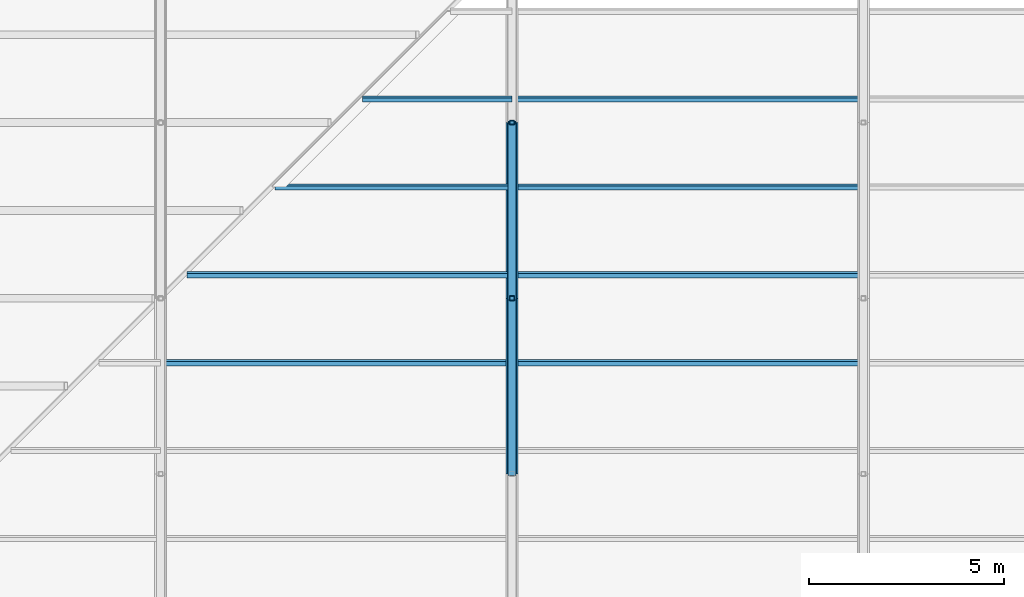
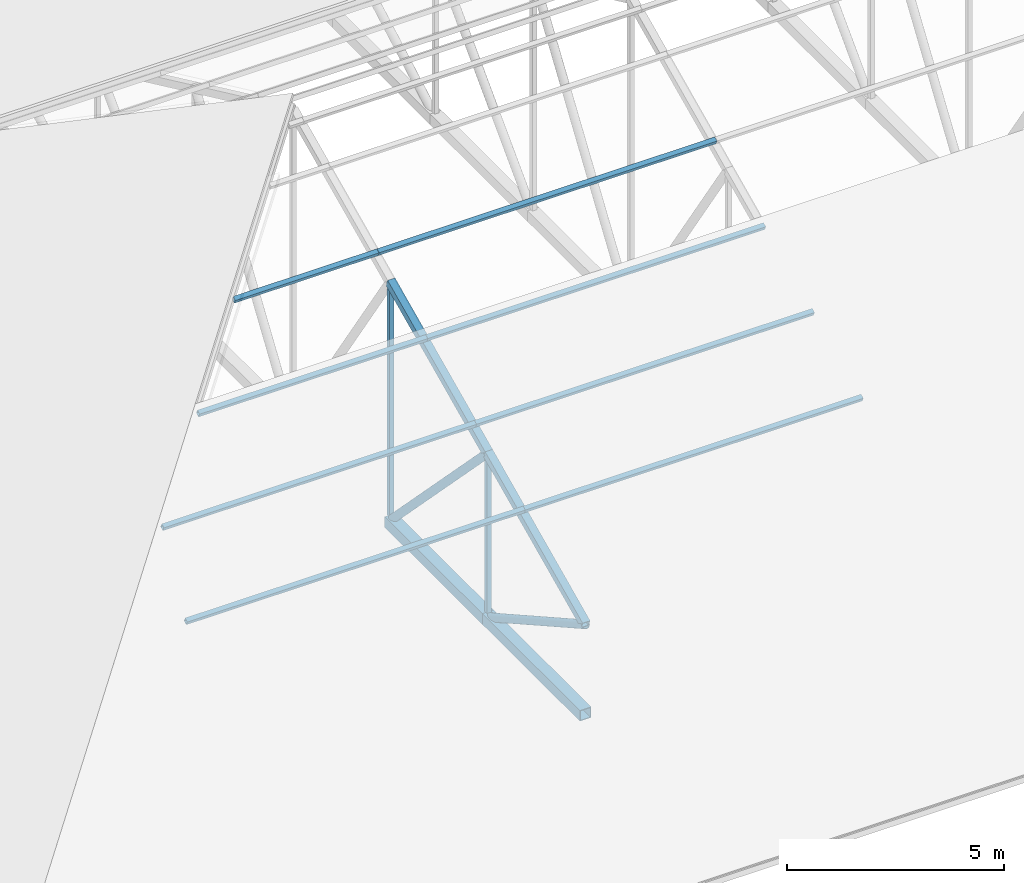
# One storey, part 62 of 154: 16 members.
"""IFC4 building model written with IfcOpenShell, lengths in metres."""

from ifc_helpers import new_model, si_unit, direction, frame, origin, origin_2d, place, context, subcontext, project, spatial, hollow_rectangle, hollow_circle, extrude, material, material_profile, profile_set, type_object, element, save


model = new_model("IFC4")

# Units and contexts
model_context = context("Model", 3, precision=1e-05, world=origin(), true_north=direction((0.0, 1.0)))
body_context = subcontext(model_context, "Body", "Model", "MODEL_VIEW")
ifc_project = project(units=[si_unit("LENGTHUNIT", "METRE"), si_unit("AREAUNIT", "SQUARE_METRE"), si_unit("VOLUMEUNIT", "CUBIC_METRE"), si_unit("PLANEANGLEUNIT", "RADIAN"), si_unit("MASSUNIT", "GRAM", prefix="KILO")], contexts=[model_context])

# Site, building, storey
site_placement = place(None, origin())
site = spatial("IfcSite", under=ifc_project, at=site_placement, CompositionType="ELEMENT")
building_placement = place(site_placement, origin())
building = spatial("IfcBuilding", under=site, at=building_placement, Name="Golden Quay Civic Hall", CompositionType="ELEMENT")
storey_placement = place(building_placement, frame((0.0, 0.0, 14.39990234375)))
storey = spatial("IfcBuildingStorey", under=building, at=storey_placement, Name="L03", CompositionType="ELEMENT", Elevation=14.39990234375)

# Members
ifc_material_1 = material(Name="Steel S355", Category="steel")
ifc_material_profile_1 = material_profile(ifc_material_1, hollow_rectangle(XDim=0.1201171875, YDim=0.1201171875, WallThickness=0.008056640625, at=origin_2d()), Name="SHS 120x120x8")
ifc_profile_set_1 = profile_set([ifc_material_profile_1], Name="Steel S355")
member_type_1 = type_object("IfcMemberType", Name="Steel roof purlin SHS 120x120x8", PredefinedType="PURLIN", material=ifc_profile_set_1)
for number, where, z_axis, x_axis, name in (
    (1, (126.0, 70.35009765625, 3.931884765625), (1.0, 0.0, 0.0), (0.0, 0.906307787037, 0.422618261741), "Purlin south 5-2 L03"),
    (2, (135.0, 70.35009765625, 3.931884765625), (1.0, 0.0, 0.0), (0.0, 0.906307787037, 0.422618261741), "Purlin south 5-3 L03"),
):
    element("IfcMember", number, at=place(storey_placement, frame(where, z_axis=z_axis, x_axis=x_axis)), inside=storey, type_object=member_type_1, Name=name, PredefinedType="PURLIN", context=body_context, shape_type="SweptSolid", body=[
        extrude(hollow_rectangle(XDim=0.1201171875, YDim=0.1201171875, WallThickness=0.008056640625, at=origin_2d()), origin(), (0.0, 0.0, 1.0), 9.0),
    ])
member_1_placement = place(storey_placement, frame((126.675048828125, 72.60009765625, 4.981201171875), z_axis=(1.0, 0.0, 0.0), x_axis=(0.0, 0.906307787037, 0.422618261741)))
element("IfcMember", 3, at=member_1_placement, inside=storey, type_object=member_type_1, Name="Purlin south 6-1 L03", PredefinedType="PURLIN", context=body_context, shape_type="SweptSolid", body=[
    extrude(hollow_rectangle(XDim=0.1201171875, YDim=0.1201171875, WallThickness=0.008056640625, at=origin_2d()), origin(), (0.0, 0.0, 1.0), 8.324951171875),
])
member_2_placement = place(storey_placement, frame((135.0, 72.60009765625, 4.981201171875), z_axis=(1.0, 0.0, 0.0), x_axis=(0.0, 0.906307787037, 0.422618261741)))
element("IfcMember", 4, at=member_2_placement, inside=storey, type_object=member_type_1, Name="Purlin south 6-2 L03", PredefinedType="PURLIN", context=body_context, shape_type="SweptSolid", body=[
    extrude(hollow_rectangle(XDim=0.1201171875, YDim=0.1201171875, WallThickness=0.008056640625, at=origin_2d()), origin(), (0.0, 0.0, 1.0), 9.0),
])
member_3_placement = place(storey_placement, frame((128.925048828125, 74.85009765625, 6.0302734375), z_axis=(1.0, 0.0, 0.0), x_axis=(0.0, 0.906307787037, 0.422618261741)))
element("IfcMember", 5, at=member_3_placement, inside=storey, type_object=member_type_1, Name="Purlin south 7-1 L03", PredefinedType="PURLIN", context=body_context, shape_type="SweptSolid", body=[
    extrude(hollow_rectangle(XDim=0.1201171875, YDim=0.1201171875, WallThickness=0.008056640625, at=origin_2d()), origin(), (0.0, 0.0, 1.0), 6.074951171875),
])
member_4_placement = place(storey_placement, frame((135.0, 74.85009765625, 6.0302734375), z_axis=(1.0, 0.0, 0.0), x_axis=(0.0, 0.906307787037, 0.422618261741)))
element("IfcMember", 6, at=member_4_placement, inside=storey, type_object=member_type_1, Name="Purlin south 7-2 L03", PredefinedType="PURLIN", context=body_context, shape_type="SweptSolid", body=[
    extrude(hollow_rectangle(XDim=0.1201171875, YDim=0.1201171875, WallThickness=0.008056640625, at=origin_2d()), origin(), (0.0, 0.0, 1.0), 9.0),
])
member_5_placement = place(storey_placement, frame((131.175048828125, 77.10009765625, 7.07958984375), z_axis=(1.0, 0.0, 0.0), x_axis=(0.0, 0.906307787037, 0.422618261741)))
element("IfcMember", 7, at=member_5_placement, inside=storey, type_object=member_type_1, Name="Purlin south 8-1 L03", PredefinedType="PURLIN", context=body_context, shape_type="SweptSolid", body=[
    extrude(hollow_rectangle(XDim=0.1201171875, YDim=0.1201171875, WallThickness=0.008056640625, at=origin_2d()), origin(), (0.0, 0.0, 1.0), 3.824951171875),
])
member_6_placement = place(storey_placement, frame((135.0, 77.10009765625, 7.07958984375), z_axis=(1.0, 0.0, 0.0), x_axis=(0.0, 0.906307787037, 0.422618261741)))
element("IfcMember", 8, at=member_6_placement, inside=storey, type_object=member_type_1, Name="Purlin south 8-2 L03", PredefinedType="PURLIN", context=body_context, shape_type="SweptSolid", body=[
    extrude(hollow_rectangle(XDim=0.1201171875, YDim=0.1201171875, WallThickness=0.008056640625, at=origin_2d()), origin(), (0.0, 0.0, 1.0), 9.0),
])
ifc_material_2 = material(Name="Steel S355", Category="steel")
ifc_material_profile_2 = material_profile(ifc_material_2, hollow_rectangle(XDim=0.300048828125, YDim=0.300048828125, WallThickness=0.01611328125, at=origin_2d()), Name="SHS 300x300x16")
ifc_profile_set_2 = profile_set([ifc_material_profile_2], Name="Steel S355")
member_type_2 = type_object("IfcMemberType", Name="Steel truss bottom chord SHS 300x300x16", PredefinedType="USERDEFINED", material=ifc_profile_set_2)
for number, where, z_axis, x_axis, name in (
    (9, (135.0, 67.5, -0.099853515625), (0.0, 1.0, 0.0), (-1.0, 0.0, 0.0), "Truss 135 bottom chord 2 L03"),
    (10, (135.0, 72.0, -0.099853515625), (0.0, 1.0, 0.0), (-1.0, 0.0, 0.0), "Truss 135 bottom chord 3 L03"),
):
    element("IfcMember", number, at=place(storey_placement, frame(where, z_axis=z_axis, x_axis=x_axis)), inside=storey, type_object=member_type_2, Name=name, ObjectType="TRUSS BOTTOM CHORD", PredefinedType="USERDEFINED", context=body_context, shape_type="SweptSolid", body=[
        extrude(hollow_rectangle(XDim=0.300048828125, YDim=0.300048828125, WallThickness=0.01611328125, at=origin_2d()), origin(), (0.0, 0.0, 1.0), 4.5),
    ])
ifc_material_3 = material(Name="Steel S355", Category="steel")
ifc_material_profile_3 = material_profile(ifc_material_3, hollow_circle(Radius=0.109619140625, WallThickness=0.010009765625, at=origin_2d()), Name="CHS 219.1x10")
ifc_profile_set_3 = profile_set([ifc_material_profile_3], Name="Steel S355")
member_type_3 = type_object("IfcMemberType", Name="Steel truss diagonal CHS 219.1x10", PredefinedType="BRACE", material=ifc_profile_set_3)
member_7_placement = place(storey_placement, frame((135.0, 67.5, 2.426513671875), z_axis=(0.0, 0.871979533951, -0.489542329499), x_axis=(-1.0, 0.0, 0.0)))
element("IfcMember", 11, at=member_7_placement, inside=storey, type_object=member_type_3, Name="Truss 135 diagonal 2 L03", PredefinedType="BRACE", context=body_context, shape_type="SweptSolid", body=[
    extrude(hollow_circle(Radius=0.109619140625, WallThickness=0.010009765625, at=origin_2d()), origin(), (0.0, 0.0, 1.0), 5.16064453125),
])
member_8_placement = place(storey_placement, frame((135.0, 72.0, 4.52490234375), z_axis=(0.0, 0.697373869939, -0.716707531372), x_axis=(-1.0, 0.0, 0.0)))
element("IfcMember", 12, at=member_8_placement, inside=storey, type_object=member_type_3, Name="Truss 135 diagonal 3 L03", PredefinedType="BRACE", context=body_context, shape_type="SweptSolid", body=[
    extrude(hollow_circle(Radius=0.109619140625, WallThickness=0.010009765625, at=origin_2d()), origin(), (0.0, 0.0, 1.0), 6.452880859375),
])
ifc_material_4 = material(Name="Steel S355", Category="steel")
ifc_material_profile_4 = material_profile(ifc_material_4, hollow_rectangle(XDim=0.1201171875, YDim=0.1201171875, WallThickness=0.008056640625, at=origin_2d()), Name="SHS 120x120x8")
ifc_profile_set_4 = profile_set([ifc_material_profile_4], Name="Steel S355")
member_type_4 = type_object("IfcMemberType", Name="Steel truss post SHS 120x120x8", PredefinedType="USERDEFINED", material=ifc_profile_set_4)
member_9_placement = place(storey_placement, frame((135.0, 72.0, 0.050048828125), z_axis=(0.0, 0.0, 1.0), x_axis=(1.0, 0.0, 0.0)))
element("IfcMember", 13, at=member_9_placement, inside=storey, type_object=member_type_4, Name="Truss 135 post 3 L03", ObjectType="TRUSS POST", PredefinedType="USERDEFINED", context=body_context, shape_type="SweptSolid", body=[
    extrude(hollow_rectangle(XDim=0.1201171875, YDim=0.1201171875, WallThickness=0.008056640625, at=origin_2d()), origin(), (0.0, 0.0, 1.0), 4.364501953125),
])
member_10_placement = place(storey_placement, frame((135.0, 76.5, 0.050048828125), z_axis=(0.0, 0.0, 1.0), x_axis=(1.0, 0.0, 0.0)))
element("IfcMember", 14, at=member_10_placement, inside=storey, type_object=member_type_4, Name="Truss 135 post 4 L03", ObjectType="TRUSS POST", PredefinedType="USERDEFINED", context=body_context, shape_type="SweptSolid", body=[
    extrude(hollow_rectangle(XDim=0.1201171875, YDim=0.1201171875, WallThickness=0.008056640625, at=origin_2d()), origin(), (0.0, 0.0, 1.0), 6.462646484375),
])
ifc_material_5 = material(Name="Steel S355", Category="steel")
ifc_material_profile_5 = material_profile(ifc_material_5, hollow_rectangle(XDim=0.199951171875, YDim=0.199951171875, WallThickness=0.010009765625, at=origin_2d()), Name="SHS 200x200x10")
ifc_profile_set_5 = profile_set([ifc_material_profile_5], Name="Steel S355")
member_type_5 = type_object("IfcMemberType", Name="Steel truss top chord SHS 200x200x10", PredefinedType="USERDEFINED", material=ifc_profile_set_5)
for number, where, z_axis, x_axis, name in (
    (15, (135.0, 67.5, 2.426513671875), (0.0, 0.906307462258, 0.422618958231), (-1.0, 0.0, 0.0), "Truss 135 top chord 3 L03"),
    (16, (135.0, 72.0, 4.52490234375), (0.0, 0.906307462258, 0.422618958231), (-1.0, 0.0, 0.0), "Truss 135 top chord 4 L03"),
):
    element("IfcMember", number, at=place(storey_placement, frame(where, z_axis=z_axis, x_axis=x_axis)), inside=storey, type_object=member_type_5, Name=name, ObjectType="TRUSS TOP CHORD", PredefinedType="USERDEFINED", context=body_context, shape_type="SweptSolid", body=[
        extrude(hollow_rectangle(XDim=0.199951171875, YDim=0.199951171875, WallThickness=0.010009765625, at=origin_2d()), origin(), (0.0, 0.0, 1.0), 4.965087890625),
    ])

save(model, "model.ifc")
